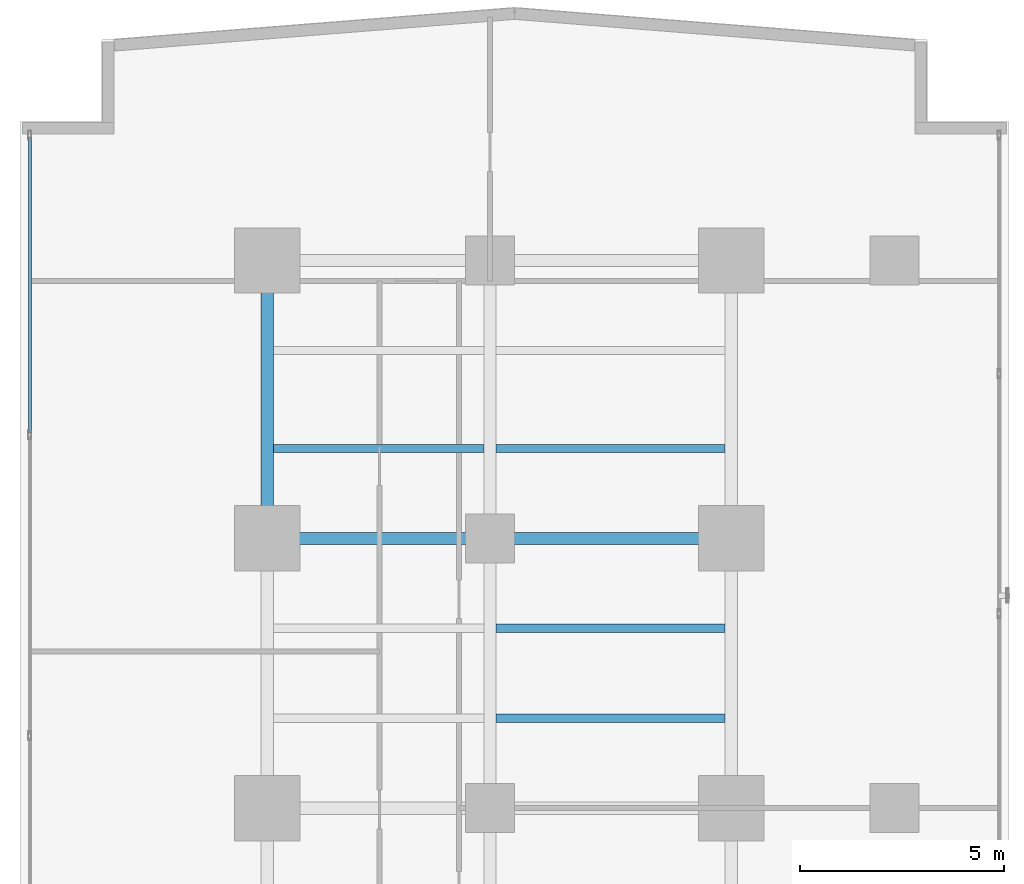
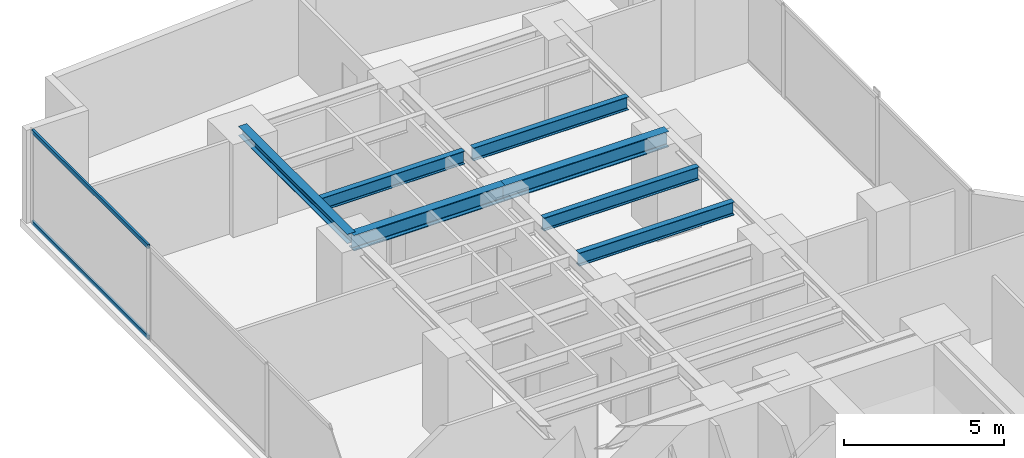
# One storey, part 16 of 28: 7 beams, 2 members, 1 element without a shape of its own.
"""IFC4 building model written with IfcOpenShell, lengths in metres."""

from ifc_helpers import new_model, si_unit, direction, frame, origin, origin_with_axes, origin_2d, place, context, subcontext, project, spatial, hollow_rectangle, i_section, extrude, source, transform, mapped, material, layer, layer_set, material_profile, profile_set, type_object, element, aggregate, save


model = new_model("IFC4")

# Units and contexts
model_context = context("Model", 3, precision=1e-05, world=origin(), true_north=direction((0.0, 1.0)))
body_context = subcontext(model_context, "Body", "Model", "MODEL_VIEW")
ifc_project = project(units=[si_unit("LENGTHUNIT", "METRE"), si_unit("AREAUNIT", "SQUARE_METRE"), si_unit("VOLUMEUNIT", "CUBIC_METRE"), si_unit("PLANEANGLEUNIT", "RADIAN"), si_unit("MASSUNIT", "GRAM", prefix="KILO")], contexts=[model_context])

# Site, building, storey
site_placement = place(None, origin())
site = spatial("IfcSite", under=ifc_project, at=site_placement, CompositionType="ELEMENT")
building_placement = place(site_placement, origin())
building = spatial("IfcBuilding", under=site, at=building_placement, Name="Kolvaren Waterfront Exchange", CompositionType="ELEMENT")
storey_placement = place(building_placement, frame((0.0, 0.0, 75.199951171875)))
storey = spatial("IfcBuildingStorey", under=building, at=storey_placement, Name="L19", CompositionType="ELEMENT", Elevation=75.199951171875)

# Beams
ifc_material_1 = material(Name="Steel S355", Category="steel")
ifc_material_profile_1 = material_profile(ifc_material_1, i_section(OverallWidth=0.300048828125, OverallDepth=0.360107421875, WebThickness=0.012451171875, FlangeThickness=0.0224609375, FilletRadius=0.027099609375, at=origin_2d()), Name="HEB360")
ifc_profile_set_1 = profile_set([ifc_material_profile_1], Name="Steel S355")
beam_type_1 = type_object("IfcBeamType", Name="STR-BM-HEB360", PredefinedType="SPANDREL", material=ifc_profile_set_1)
beam_1_placement = place(storey_placement, frame((7.449951171875, 37.800048828125, 3.360107421875), z_axis=(0.0, 1.0, 0.0), x_axis=(-1.0, 0.0, 0.0)))
element("IfcBeam", 1, at=beam_1_placement, inside=storey, type_object=beam_type_1, Name="L19 north-arm edge beam 3", PredefinedType="SPANDREL", context=body_context, shape_type="SweptSolid", body=[
    extrude(i_section(OverallWidth=0.300048828125, OverallDepth=0.360107421875, WebThickness=0.012451171875, FlangeThickness=0.0224609375, FilletRadius=0.027099609375, at=origin_2d()), origin(), (0.0, 0.0, 1.0), 6.800048828125),
])
ifc_material_profile_2 = material_profile(ifc_material_1, i_section(OverallWidth=0.300048828125, OverallDepth=0.60009765625, WebThickness=0.015380859375, FlangeThickness=0.030029296875, FilletRadius=0.027099609375, at=origin_2d()), Name="HEB600")
ifc_profile_set_2 = profile_set([ifc_material_profile_2], Name="Steel S355")
beam_type_2 = type_object("IfcBeamType", Name="STR-BM-HEB600", PredefinedType="BEAM", material=ifc_profile_set_2)
beam_2_placement = place(storey_placement, frame((7.449951171875, 37.800048828125, 3.239990234375), z_axis=(1.0, 0.0, 0.0), x_axis=(0.0, 1.0, 0.0)))
element("IfcBeam", 2, at=beam_2_placement, inside=storey, type_object=beam_type_2, Name="L19 north-arm girder 3A", PredefinedType="BEAM", context=body_context, shape_type="SweptSolid", body=[
    extrude(i_section(OverallWidth=0.300048828125, OverallDepth=0.60009765625, WebThickness=0.015380859375, FlangeThickness=0.030029296875, FilletRadius=0.027099609375, at=origin_2d()), origin(), (0.0, 0.0, 1.0), 5.449951171875),
])
beam_3_placement = place(storey_placement, frame((12.89990234375, 37.800048828125, 3.239990234375), z_axis=(1.0, 0.0, 0.0), x_axis=(0.0, 1.0, 0.0)))
element("IfcBeam", 3, at=beam_3_placement, inside=storey, type_object=beam_type_2, Name="L19 north-arm girder 3B", PredefinedType="BEAM", context=body_context, shape_type="SweptSolid", body=[
    extrude(i_section(OverallWidth=0.300048828125, OverallDepth=0.60009765625, WebThickness=0.015380859375, FlangeThickness=0.030029296875, FilletRadius=0.027099609375, at=origin_2d()), origin(), (0.0, 0.0, 1.0), 5.900146484375),
])
ifc_material_profile_3 = material_profile(ifc_material_1, i_section(OverallWidth=0.199951171875, OverallDepth=0.5, WebThickness=0.01025390625, FlangeThickness=0.01611328125, FilletRadius=0.02099609375, at=origin_2d()), Name="IPE500")
ifc_profile_set_3 = profile_set([ifc_material_profile_3], Name="Steel S355")
beam_type_3 = type_object("IfcBeamType", Name="STR-BM-IPE500", PredefinedType="JOIST", material=ifc_profile_set_3)
for number, where, z_axis, x_axis, name in (
    (4, (13.052001953125, 33.39990234375, 3.2900390625), (1.0, 0.0, 0.0), (0.0, 1.0, 0.0), "L19 north-arm composite joist 3B"),
    (5, (13.052001953125, 35.60009765625, 3.2900390625), (1.0, 0.0, 0.0), (0.0, 1.0, 0.0), "L19 north-arm composite joist 4B"),
):
    element("IfcBeam", number, at=place(storey_placement, frame(where, z_axis=z_axis, x_axis=x_axis)), inside=storey, type_object=beam_type_3, Name=name, PredefinedType="JOIST", context=body_context, shape_type="SweptSolid", body=[
        extrude(i_section(OverallWidth=0.199951171875, OverallDepth=0.5, WebThickness=0.01025390625, FlangeThickness=0.01611328125, FilletRadius=0.02099609375, at=origin_2d()), origin(), (0.0, 0.0, 1.0), 5.595947265625),
    ])
beam_4_placement = place(storey_placement, frame((7.60205078125, 40.0, 3.2900390625), z_axis=(1.0, 0.0, 0.0), x_axis=(0.0, 1.0, 0.0)))
element("IfcBeam", 6, at=beam_4_placement, inside=storey, type_object=beam_type_3, Name="L19 north-arm composite joist 5A", PredefinedType="JOIST", context=body_context, shape_type="SweptSolid", body=[
    extrude(i_section(OverallWidth=0.199951171875, OverallDepth=0.5, WebThickness=0.01025390625, FlangeThickness=0.01611328125, FilletRadius=0.02099609375, at=origin_2d()), origin(), (0.0, 0.0, 1.0), 5.14599609375),
])
beam_5_placement = place(storey_placement, frame((13.052001953125, 40.0, 3.2900390625), z_axis=(1.0, 0.0, 0.0), x_axis=(0.0, 1.0, 0.0)))
element("IfcBeam", 7, at=beam_5_placement, inside=storey, type_object=beam_type_3, Name="L19 north-arm composite joist 5B", PredefinedType="JOIST", context=body_context, shape_type="SweptSolid", body=[
    extrude(i_section(OverallWidth=0.199951171875, OverallDepth=0.5, WebThickness=0.01025390625, FlangeThickness=0.01611328125, FilletRadius=0.02099609375, at=origin_2d()), origin(), (0.0, 0.0, 1.0), 5.595947265625),
])

# Curtain wall, members
ifc_material_2 = material(Name="Anodised aluminium 6063-T6", Category="aluminium")
ifc_layer = layer(ifc_material_2, 0.219970703125, Name="Anodised aluminium 6063-T6")
ifc_layer_set = layer_set([ifc_layer], Name="Anodised aluminium 6063-T6")
curtain_wall_type = type_object("IfcCurtainWallType", Name="ARC-CW-SYS2", PredefinedType="USERDEFINED", material=ifc_layer_set)
curtain_wall_placement = place(storey_placement, origin())
curtain_wall = element("IfcCurtainWall", 8, at=curtain_wall_placement, inside=storey, type_object=curtain_wall_type, Name="L19 stick curtain wall CW2 (CW-L19-W)", ObjectType="STICK CURTAIN WALL", PredefinedType="USERDEFINED")
ifc_material_profile_4 = material_profile(ifc_material_2, hollow_rectangle(XDim=0.074951171875, YDim=0.159912109375, WallThickness=0.00439453125, at=origin_2d()), Name="ALU-TRN-160x75x4.5")
ifc_profile_set_4 = profile_set([ifc_material_profile_4], Name="Anodised aluminium 6063-T6")
member_type = type_object("IfcMemberType", Name="ARC-CWT-160", PredefinedType="USERDEFINED", material=ifc_profile_set_4)
shared_shape = source(origin_with_axes(), body_context, "Body", "SweptSolid", [
    extrude(hollow_rectangle(XDim=0.074951171875, YDim=0.159912109375, WallThickness=0.00439453125, at=origin_2d()), origin(), (0.0, 0.0, 1.0), 7.246826171875),
])
member_1_placement = place(storey_placement, frame((1.639892578125, 40.373291015625, 0.03759765625), z_axis=(0.0, 1.0, 0.0), x_axis=(-1.0, 0.0, 0.0)))
member_1 = element("IfcMember", 9, at=member_1_placement, type_object=member_type, Name="CW2 transom 6.1", ObjectType="TRANSOM", PredefinedType="USERDEFINED", context=body_context, shape_type="MappedRepresentation", body=[
    mapped(shared_shape, transform((0.0, 0.0, 0.0), x_axis=(1.0, 0.0, 0.0), y_axis=(0.0, 1.0, 0.0), z_axis=(0.0, 0.0, 1.0), scale=1.0)),
])
member_2_placement = place(storey_placement, frame((1.639892578125, 40.373291015625, 3.50244140625), z_axis=(0.0, 1.0, 0.0), x_axis=(-1.0, 0.0, 0.0)))
member_2 = element("IfcMember", 10, at=member_2_placement, type_object=member_type, Name="CW2 transom 6.2", ObjectType="TRANSOM", PredefinedType="USERDEFINED", context=body_context, shape_type="MappedRepresentation", body=[
    mapped(shared_shape, transform((0.0, 0.0, 0.0), x_axis=(1.0, 0.0, 0.0), y_axis=(0.0, 1.0, 0.0), z_axis=(0.0, 0.0, 1.0), scale=1.0)),
])
aggregate(curtain_wall, [member_1, member_2])

save(model, "model.ifc")
